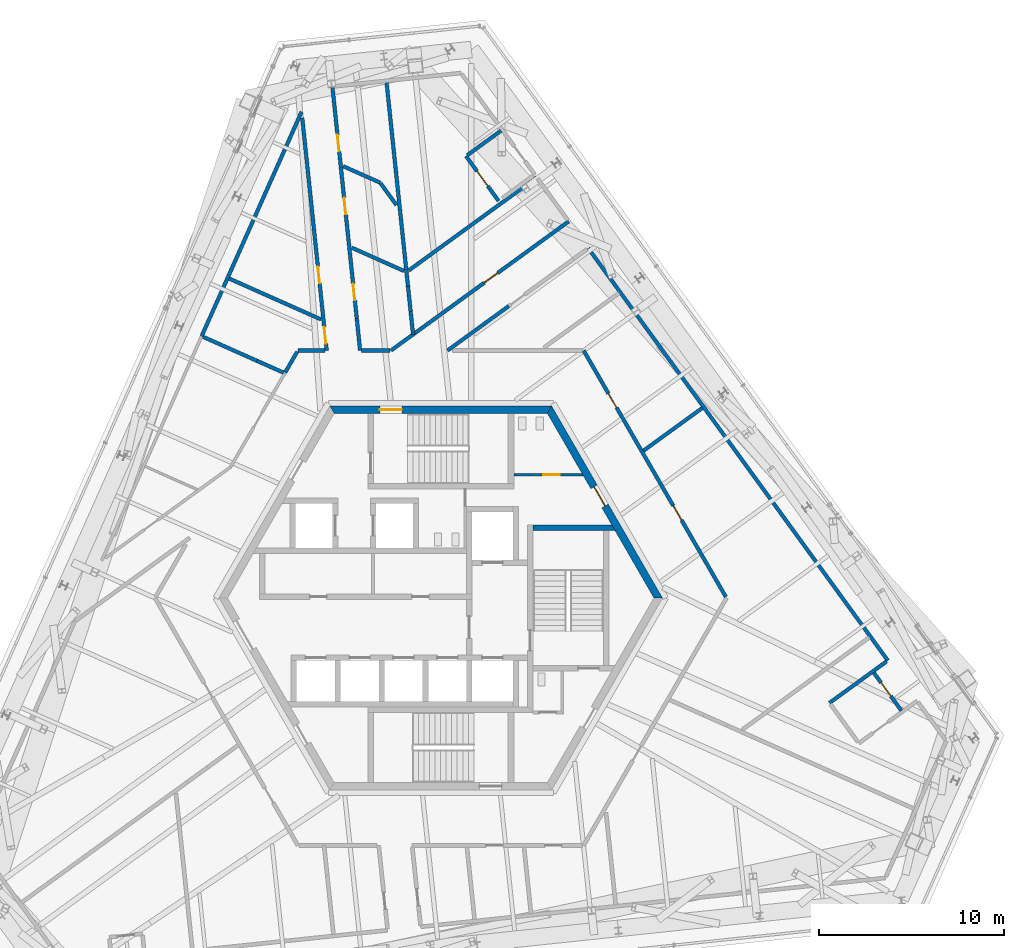
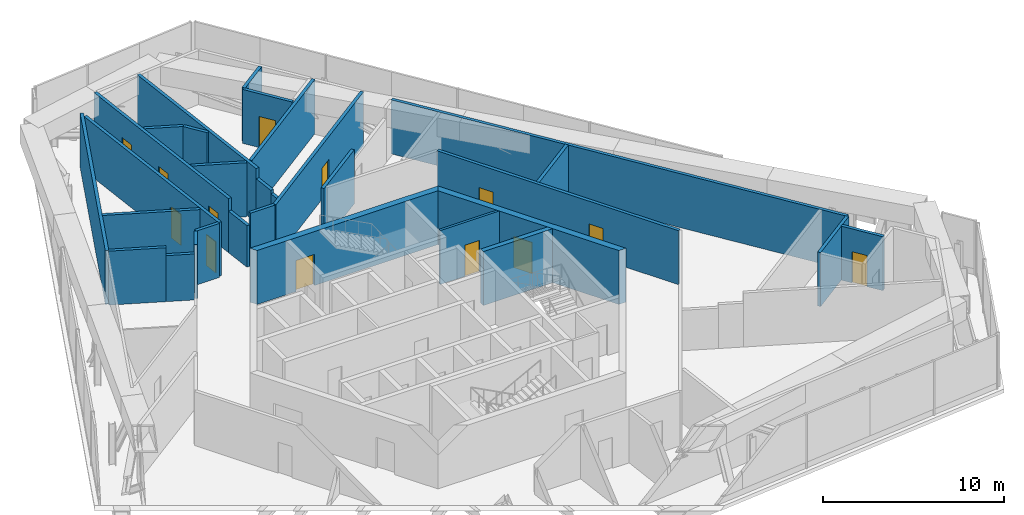
# One storey, part 15 of 23: 30 walls, 13 doors, 13 openings.
"""IFC4 building model written with IfcOpenShell, lengths in metres."""

from ifc_helpers import new_model, si_unit, direction, frame, frame_2d, origin, place, context, subcontext, project, spatial, polyline, rectangle, outline, extrude, source, transform, mapped, material, layer, layer_set, type_object, element, fill, save


model = new_model("IFC4")

# Units and contexts
model_context = context("Model", 3, precision=1e-05, world=origin(), true_north=direction((0.0, 1.0)))
body_context = subcontext(model_context, "Body", "Model", "MODEL_VIEW")
ifc_project = project(units=[si_unit("LENGTHUNIT", "METRE"), si_unit("AREAUNIT", "SQUARE_METRE"), si_unit("VOLUMEUNIT", "CUBIC_METRE"), si_unit("PLANEANGLEUNIT", "RADIAN"), si_unit("MASSUNIT", "GRAM", prefix="KILO")], contexts=[model_context])

# Site, building, storey
site_placement = place(None, origin())
site = spatial("IfcSite", under=ifc_project, at=site_placement, CompositionType="ELEMENT")
building_placement = place(site_placement, origin())
building = spatial("IfcBuilding", under=site, at=building_placement, Name="Triune Harvest Tower", CompositionType="ELEMENT")
storey_placement = place(building_placement, frame((0.0, 0.0, 255.699951171875)))
storey = spatial("IfcBuildingStorey", under=building, at=storey_placement, Name="L67", CompositionType="ELEMENT", Elevation=255.699951171875)

# Wall, openings, doors
ifc_material_1 = material(Name="Gypsum board on steel studs", Category="steel")
ifc_layer_1 = layer(ifc_material_1, 0.199951171875)
ifc_layer_set_1 = layer_set([ifc_layer_1], Name="Gypsum board on steel studs")
wall_type_1 = type_object("IfcWallType", Name="Fire Wall 200 mm", PredefinedType="PARTITIONING", material=ifc_layer_set_1)
wall_1_placement = place(storey_placement, frame((-7.4970703125, 25.986328125, 0.0), z_axis=(0.0, 0.0, 1.0), x_axis=(0.104532239309, -0.994521498483, 0.0)))
wall_1 = element("IfcWall", 1, at=wall_1_placement, inside=storey, type_object=wall_type_1, Name="Partition L67 005", PredefinedType="PARTITIONING", context=body_context, shape_type="SweptSolid", body=[
    extrude(rectangle(XDim=12.663330078125, YDim=0.199951171875, at=frame_2d((6.33154296875, 0.0))), origin(), (0.0, 0.0, 1.0), 3.64013671875),
])
opening_1_placement = place(wall_1_placement, frame((11.38330078125, 0.0, 0.0)))
opening_1 = element("IfcOpeningElement", 2, at=opening_1_placement, cuts=wall_1, Name="Opening L67-009", PredefinedType="OPENING", context=body_context, shape_type="SweptSolid", body=[
    extrude(rectangle(XDim=0.89990234375, YDim=2.10009765625, at=frame_2d((0.449951171875, 1.050048828125))), frame((0.0, 0.10986328125, 0.0), z_axis=(0.0, -1.0, 0.0), x_axis=(1.0, 0.0, 0.0)), (0.0, 0.0, 1.0), 0.219970703125),
])
opening_2_placement = place(wall_1_placement, frame((8.106201171875, 0.0, 0.0)))
opening_2 = element("IfcOpeningElement", 3, at=opening_2_placement, cuts=wall_1, Name="Opening L67-010", PredefinedType="OPENING", context=body_context, shape_type="SweptSolid", body=[
    extrude(rectangle(XDim=0.89990234375, YDim=2.10009765625, at=frame_2d((0.449951171875, 1.050048828125))), frame((0.0, 0.10986328125, 0.0), z_axis=(0.0, -1.0, 0.0), x_axis=(1.0, 0.0, 0.0)), (0.0, 0.0, 1.0), 0.219970703125),
])
ifc_material_2 = material(Name="Timber and steel door set", Category="steel")
door_type_1 = type_object("IfcDoorType", Name="Single leaf door FD60 left hand 900 x 2100", OperationType="SINGLE_SWING_LEFT", PredefinedType="DOOR", material=ifc_material_2)
door_1_placement = place(opening_1_placement, origin())
door_1 = element("IfcDoor", 4, at=door_1_placement, inside=storey, type_object=door_type_1, Name="Door L67-009 Telecom Plant Room 67.09", OperationType="SINGLE_SWING_LEFT", OverallHeight=2.10009765625, OverallWidth=0.89990234375, PredefinedType="DOOR", context=body_context, shape_type="SweptSolid", body=[
    extrude(rectangle(XDim=0.89990234375, YDim=2.10009765625, at=frame_2d((0.449951171875, 1.050048828125))), frame((0.0, 0.02490234375, 0.0), z_axis=(0.0, -1.0, 0.0), x_axis=(1.0, 0.0, 0.0)), (0.0, 0.0, 1.0), 0.050048828125),
])
fill(opening_1, door_1)
door_2_placement = place(opening_2_placement, origin())
door_2 = element("IfcDoor", 5, at=door_2_placement, inside=storey, type_object=door_type_1, Name="Door L67-010 Electrical Plant Room 67.10", OperationType="SINGLE_SWING_LEFT", OverallHeight=2.10009765625, OverallWidth=0.89990234375, PredefinedType="DOOR", context=body_context, shape_type="SweptSolid", body=[
    extrude(rectangle(XDim=0.89990234375, YDim=2.10009765625, at=frame_2d((0.449951171875, 1.050048828125))), frame((0.0, 0.02490234375, 0.0), z_axis=(0.0, -1.0, 0.0), x_axis=(1.0, 0.0, 0.0)), (0.0, 0.0, 1.0), 0.050048828125),
])
fill(opening_2, door_2)

wall_2_placement = place(storey_placement, frame((-5.865234375, 27.679931640625, 0.0), z_axis=(0.0, 0.0, 1.0), x_axis=(0.104524664601, -0.994522294617, 0.0)))
wall_2 = element("IfcWall", 6, at=wall_2_placement, inside=storey, type_object=wall_type_1, Name="Partition L67 007", PredefinedType="PARTITIONING", context=body_context, shape_type="SweptSolid", body=[
    extrude(rectangle(XDim=12.619873046875, YDim=0.199951171875, at=frame_2d((6.31005859375, 0.0))), origin(), (0.0, 0.0, 1.0), 3.64013671875),
])
opening_3_placement = place(wall_2_placement, frame((2.62548828125, 0.0, 0.0)))
opening_3 = element("IfcOpeningElement", 7, at=opening_3_placement, cuts=wall_2, Name="Opening L67-007", PredefinedType="OPENING", context=body_context, shape_type="SweptSolid", body=[
    extrude(rectangle(XDim=0.89990234375, YDim=2.10009765625, at=frame_2d((0.449951171875, 1.050048828125))), frame((0.0, 0.10986328125, 0.0), z_axis=(0.0, -1.0, 0.0), x_axis=(1.0, 0.0, 0.0)), (0.0, 0.0, 1.0), 0.219970703125),
])
opening_4_placement = place(wall_2_placement, frame((6.05908203125, 0.0, 0.0)))
opening_4 = element("IfcOpeningElement", 8, at=opening_4_placement, cuts=wall_2, Name="Opening L67-008", PredefinedType="OPENING", context=body_context, shape_type="SweptSolid", body=[
    extrude(rectangle(XDim=0.89990234375, YDim=2.10009765625, at=frame_2d((0.449951171875, 1.050048828125))), frame((0.0, 0.10986328125, 0.0), z_axis=(0.0, -1.0, 0.0), x_axis=(1.0, 0.0, 0.0)), (0.0, 0.0, 1.0), 0.219970703125),
])
opening_5_placement = place(wall_2_placement, frame((10.736083984375, 0.0, 0.0)))
opening_5 = element("IfcOpeningElement", 9, at=opening_5_placement, cuts=wall_2, Name="Opening L67-011", PredefinedType="OPENING", context=body_context, shape_type="SweptSolid", body=[
    extrude(rectangle(XDim=0.89990234375, YDim=2.10009765625, at=frame_2d((0.449951171875, 1.050048828125))), frame((0.0, 0.10986328125, 0.0), z_axis=(0.0, -1.0, 0.0), x_axis=(1.0, 0.0, 0.0)), (0.0, 0.0, 1.0), 0.219970703125),
])
door_3_placement = place(opening_3_placement, origin())
door_3 = element("IfcDoor", 10, at=door_3_placement, inside=storey, type_object=door_type_1, Name="Door L67-007 Electrical Plant Room 67.07", OperationType="SINGLE_SWING_LEFT", OverallHeight=2.10009765625, OverallWidth=0.89990234375, PredefinedType="DOOR", context=body_context, shape_type="SweptSolid", body=[
    extrude(rectangle(XDim=0.89990234375, YDim=2.10009765625, at=frame_2d((0.449951171875, 1.050048828125))), frame((0.0, 0.02490234375, 0.0), z_axis=(0.0, -1.0, 0.0), x_axis=(1.0, 0.0, 0.0)), (0.0, 0.0, 1.0), 0.050048828125),
])
fill(opening_3, door_3)
door_4_placement = place(opening_4_placement, origin())
door_4 = element("IfcDoor", 11, at=door_4_placement, inside=storey, type_object=door_type_1, Name="Door L67-008 Telecom Plant Room 67.08", OperationType="SINGLE_SWING_LEFT", OverallHeight=2.10009765625, OverallWidth=0.89990234375, PredefinedType="DOOR", context=body_context, shape_type="SweptSolid", body=[
    extrude(rectangle(XDim=0.89990234375, YDim=2.10009765625, at=frame_2d((0.449951171875, 1.050048828125))), frame((0.0, 0.02490234375, 0.0), z_axis=(0.0, -1.0, 0.0), x_axis=(1.0, 0.0, 0.0)), (0.0, 0.0, 1.0), 0.050048828125),
])
fill(opening_4, door_4)
ifc_material_3 = material(Name="Timber and steel door set", Category="steel")
door_type_2 = type_object("IfcDoorType", Name="Single leaf door FD60 right hand 900 x 2100", OperationType="SINGLE_SWING_RIGHT", PredefinedType="DOOR", material=ifc_material_3)
door_5_placement = place(opening_5_placement, origin())
door_5 = element("IfcDoor", 12, at=door_5_placement, inside=storey, type_object=door_type_2, Name="Door L67-011 Electrical Plant Room 67.11", OperationType="SINGLE_SWING_RIGHT", OverallHeight=2.10009765625, OverallWidth=0.89990234375, PredefinedType="DOOR", context=body_context, shape_type="SweptSolid", body=[
    extrude(rectangle(XDim=0.89990234375, YDim=2.10009765625, at=frame_2d((0.449951171875, 1.050048828125))), frame((0.0, 0.02490234375, 0.0), z_axis=(0.0, -1.0, 0.0), x_axis=(1.0, 0.0, 0.0)), (0.0, 0.0, 1.0), 0.050048828125),
])
fill(opening_5, door_5)

# Walls
wall_3_placement = place(storey_placement, frame((-4.546142578125, 15.129150390625, 0.0), z_axis=(0.0, 0.0, 1.0), x_axis=(0.104553813702, -0.994519230604, 0.0)))
element("IfcWall", 13, at=wall_3_placement, inside=storey, type_object=wall_type_1, Name="Partition L67 007a", PredefinedType="PARTITIONING", context=body_context, shape_type="SweptSolid", body=[
    extrude(rectangle(XDim=1.74658203125, YDim=0.199951171875, at=frame_2d((0.873291015625, 0.0))), origin(), (0.0, 0.0, 1.0), 2.79931640625),
])
wall_4_placement = place(storey_placement, frame((-2.941650390625, 27.987060546875, 0.0), z_axis=(0.0, 0.0, 1.0), x_axis=(0.104540410664, -0.994520639574, 0.0)))
element("IfcWall", 14, at=wall_4_placement, inside=storey, type_object=wall_type_1, Name="Partition L67 009", PredefinedType="PARTITIONING", context=body_context, shape_type="SweptSolid", body=[
    extrude(rectangle(XDim=11.179443359375, YDim=0.199951171875, at=frame_2d((5.58984375, 0.0))), origin(), (0.0, 0.0, 1.0), 3.64013671875),
])
wall_5_placement = place(storey_placement, frame((-1.77294921875, 16.868896484375, 0.0), z_axis=(0.0, 0.0, 1.0), x_axis=(0.104473138259, -0.994527708705, 0.0)))
element("IfcWall", 15, at=wall_5_placement, inside=storey, type_object=wall_type_1, Name="Partition L67 009a", PredefinedType="PARTITIONING", context=body_context, shape_type="SweptSolid", body=[
    extrude(rectangle(XDim=1.381103515625, YDim=0.199951171875, at=frame_2d((0.6904296875, 0.0))), origin(), (0.0, 0.0, 1.0), 2.956787109375),
])
wall_6_placement = place(storey_placement, frame((-1.628662109375, 15.495361328125, 0.0), z_axis=(0.0, 0.0, 1.0), x_axis=(0.104531072999, -0.994521621071, 0.0)))
element("IfcWall", 16, at=wall_6_placement, inside=storey, type_object=wall_type_1, Name="Partition L67 009b", PredefinedType="PARTITIONING", context=body_context, shape_type="SweptSolid", body=[
    extrude(rectangle(XDim=1.240234375, YDim=0.199951171875, at=frame_2d((0.6201171875, 0.0))), origin(), (0.0, 0.0, 1.0), 2.7255859375),
])
wall_7_placement = place(storey_placement, frame((-3.26171875, 22.451171875, 0.0), z_axis=(0.0, 0.0, 1.0), x_axis=(0.58784443078, -0.80897399538, 0.0)))
element("IfcWall", 17, at=wall_7_placement, inside=storey, type_object=wall_type_1, Name="Partition L67 016", PredefinedType="PARTITIONING", context=body_context, shape_type="SweptSolid", body=[
    extrude(rectangle(XDim=1.4638671875, YDim=0.199951171875, at=frame_2d((0.73193359375, 0.0))), origin(), (0.0, 0.0, 1.0), 3.64013671875),
])

# Wall, opening, door
wall_8_placement = place(storey_placement, frame((1.368408203125, 23.914306640625, 0.0), z_axis=(0.0, 0.0, 1.0), x_axis=(0.587755461469, -0.809038637837, 0.0)))
wall_8 = element("IfcWall", 18, at=wall_8_placement, inside=storey, type_object=wall_type_1, Name="Partition L67 018", PredefinedType="PARTITIONING", context=body_context, shape_type="SweptSolid", body=[
    extrude(rectangle(XDim=2.999755859375, YDim=0.199951171875, at=frame_2d((1.5, 0.0))), origin(), (0.0, 0.0, 1.0), 3.64013671875),
])
opening_6_placement = place(wall_8_placement, frame((1.0, 0.0, 0.0)))
opening_6 = element("IfcOpeningElement", 19, at=opening_6_placement, cuts=wall_8, Name="Opening L67-006", PredefinedType="OPENING", context=body_context, shape_type="SweptSolid", body=[
    extrude(rectangle(XDim=1.0, YDim=2.10009765625, at=frame_2d((0.5, 1.050048828125))), frame((0.0, 0.10986328125, 0.0), z_axis=(0.0, -1.0, 0.0), x_axis=(1.0, 0.0, 0.0)), (0.0, 0.0, 1.0), 0.219970703125),
])
ifc_material_4 = material(Name="Timber and steel door set", Category="steel")
door_type_3 = type_object("IfcDoorType", Name="Wide single leaf door FD60 right hand 1000 x 2100", OperationType="SINGLE_SWING_RIGHT", PredefinedType="DOOR", material=ifc_material_4)
door_6_placement = place(opening_6_placement, origin())
door_6 = element("IfcDoor", 20, at=door_6_placement, inside=storey, type_object=door_type_3, Name="Door L67-006 Refuge Area 67.06", OperationType="SINGLE_SWING_RIGHT", OverallHeight=2.10009765625, OverallWidth=1.0, PredefinedType="DOOR", context=body_context, shape_type="SweptSolid", body=[
    extrude(rectangle(XDim=1.0, YDim=2.10009765625, at=frame_2d((0.5, 1.050048828125))), frame((0.0, 0.02490234375, 0.0), z_axis=(0.0, -1.0, 0.0), x_axis=(1.0, 0.0, 0.0)), (0.0, 0.0, 1.0), 0.050048828125),
])
fill(opening_6, door_6)

wall_9_placement = place(storey_placement, frame((23.431396484375, -4.037109375, 0.0), z_axis=(0.0, 0.0, 1.0), x_axis=(0.587783050671, -0.809018593942, 0.0)))
wall_9 = element("IfcWall", 21, at=wall_9_placement, inside=storey, type_object=wall_type_1, Name="Partition L67 019", PredefinedType="PARTITIONING", context=body_context, shape_type="SweptSolid", body=[
    extrude(rectangle(XDim=2.540283203125, YDim=0.199951171875, at=frame_2d((1.27001953125, 0.0))), origin(), (0.0, 0.0, 1.0), 3.64013671875),
])
opening_7_placement = place(wall_9_placement, frame((0.669921875, 0.0, 0.0)))
opening_7 = element("IfcOpeningElement", 22, at=opening_7_placement, cuts=wall_9, Name="Opening L67-022", PredefinedType="OPENING", context=body_context, shape_type="SweptSolid", body=[
    extrude(rectangle(XDim=0.89990234375, YDim=2.10009765625, at=frame_2d((0.449951171875, 1.050048828125))), frame((0.0, 0.10986328125, 0.0), z_axis=(0.0, -1.0, 0.0), x_axis=(1.0, 0.0, 0.0)), (0.0, 0.0, 1.0), 0.219970703125),
])
door_7_placement = place(opening_7_placement, origin())
door_7 = element("IfcDoor", 23, at=door_7_placement, inside=storey, type_object=door_type_2, Name="Door L67-022 Refuge Lobby 67.22", OperationType="SINGLE_SWING_RIGHT", OverallHeight=2.10009765625, OverallWidth=0.89990234375, PredefinedType="DOOR", context=body_context, shape_type="SweptSolid", body=[
    extrude(rectangle(XDim=0.89990234375, YDim=2.10009765625, at=frame_2d((0.449951171875, 1.050048828125))), frame((0.0, 0.02490234375, 0.0), z_axis=(0.0, -1.0, 0.0), x_axis=(1.0, 0.0, 0.0)), (0.0, 0.0, 1.0), 0.050048828125),
])
fill(opening_7, door_7)

# Walls
wall_10_placement = place(storey_placement, frame((7.983642578125, 18.926513671875, 0.0), z_axis=(0.0, 0.0, 1.0), x_axis=(0.587786321527, -0.809016217529, 0.0)))
element("IfcWall", 24, at=wall_10_placement, inside=storey, type_object=wall_type_1, Name="Partition L67 022", PredefinedType="PARTITIONING", context=body_context, shape_type="SweptSolid", body=[
    extrude(rectangle(XDim=27.577880859375, YDim=0.199951171875, at=frame_2d((13.7890625, 0.0))), origin(), (0.0, 0.0, 1.0), 3.64013671875),
])
wall_11_placement = place(storey_placement, frame((-9.943115234375, 12.833251953125, 0.0), z_axis=(0.0, 0.0, 1.0), x_axis=(0.913536363976, -0.406757067172, 0.0)))
element("IfcWall", 25, at=wall_11_placement, inside=storey, type_object=wall_type_1, Name="Partition L67 026a", PredefinedType="PARTITIONING", context=body_context, shape_type="SweptSolid", body=[
    extrude(rectangle(XDim=1.574462890625, YDim=0.199951171875, at=frame_2d((0.787109375, 0.0))), origin(), (0.0, 0.0, 1.0), 3.10400390625),
])
wall_12_placement = place(storey_placement, frame((-11.461181640625, 17.2919921875, 0.0), z_axis=(0.0, 0.0, 1.0), x_axis=(0.913539886318, -0.406749156246, 0.0)))
element("IfcWall", 26, at=wall_12_placement, inside=storey, type_object=wall_type_1, Name="Partition L67 027", PredefinedType="PARTITIONING", context=body_context, shape_type="SweptSolid", body=[
    extrude(rectangle(XDim=5.451904296875, YDim=0.199951171875, at=frame_2d((2.72607421875, 0.0))), origin(), (0.0, 0.0, 1.0), 3.64013671875),
])
wall_13_placement = place(storey_placement, frame((-4.81787109375, 18.95751953125, 0.0), z_axis=(0.0, 0.0, 1.0), x_axis=(0.91353807575, -0.406753222674, 0.0)))
element("IfcWall", 27, at=wall_13_placement, inside=storey, type_object=wall_type_1, Name="Partition L67 028", PredefinedType="PARTITIONING", context=body_context, shape_type="SweptSolid", body=[
    extrude(rectangle(XDim=3.0947265625, YDim=0.199951171875, at=frame_2d((1.54736328125, 0.0))), origin(), (0.0, 0.0, 1.0), 3.64013671875),
])
wall_14_placement = place(storey_placement, frame((-5.28125, 23.366943359375, 0.0), z_axis=(0.0, 0.0, 1.0), x_axis=(0.913540292169, -0.406748244721, 0.0)))
element("IfcWall", 28, at=wall_14_placement, inside=storey, type_object=wall_type_1, Name="Partition L67 029", PredefinedType="PARTITIONING", context=body_context, shape_type="SweptSolid", body=[
    extrude(rectangle(XDim=2.19140625, YDim=0.199951171875, at=frame_2d((1.095703125, 0.0))), origin(), (0.0, 0.0, 1.0), 3.64013671875),
])
wall_15_placement = place(storey_placement, frame((-7.732177734375, 13.392333984375, 0.0), z_axis=(0.0, 0.0, 1.0), x_axis=(1.0, 0.0, 0.0)))
element("IfcWall", 29, at=wall_15_placement, inside=storey, type_object=wall_type_1, Name="Partition L67 032", PredefinedType="PARTITIONING", context=body_context, shape_type="SweptSolid", body=[
    extrude(rectangle(XDim=1.46875, YDim=0.199951171875, at=frame_2d((0.734375, 0.0))), origin(), (0.0, 0.0, 1.0), 3.64013671875),
])
wall_16_placement = place(storey_placement, frame((-4.283447265625, 13.392333984375, 0.0), z_axis=(0.0, 0.0, 1.0), x_axis=(1.0, 0.0, 0.0)))
element("IfcWall", 30, at=wall_16_placement, inside=storey, type_object=wall_type_1, Name="Partition L67 033", PredefinedType="PARTITIONING", context=body_context, shape_type="SweptSolid", body=[
    extrude(rectangle(XDim=1.547607421875, YDim=0.199951171875, at=frame_2d((0.77392578125, 0.0))), origin(), (0.0, 0.0, 1.0), 3.64013671875),
])
wall_17_placement = place(storey_placement, frame((21.038330078125, -5.677001953125, 0.0), z_axis=(0.0, 0.0, 1.0), x_axis=(0.809026168049, 0.587772625606, 0.0)))
element("IfcWall", 31, at=wall_17_placement, inside=storey, type_object=wall_type_1, Name="Partition L67 041", PredefinedType="PARTITIONING", context=body_context, shape_type="SweptSolid", body=[
    extrude(rectangle(XDim=3.820068359375, YDim=0.199951171875, at=frame_2d((1.91015625, 0.0))), origin(), (0.0, 0.0, 1.0), 3.64013671875),
])
wall_18_placement = place(storey_placement, frame((10.967041015625, 7.968017578125, 0.0), z_axis=(0.0, 0.0, 1.0), x_axis=(0.809043545907, 0.587748705508, 0.0)))
element("IfcWall", 32, at=wall_18_placement, inside=storey, type_object=wall_type_1, Name="Partition L67 044", PredefinedType="PARTITIONING", context=body_context, shape_type="SweptSolid", body=[
    extrude(rectangle(XDim=3.947265625, YDim=0.199951171875, at=frame_2d((1.9736328125, 0.0))), origin(), (0.0, 0.0, 1.0), 3.64013671875),
])
wall_19_placement = place(storey_placement, frame((0.36669921875, 13.392333984375, 0.0), z_axis=(0.0, 0.0, 1.0), x_axis=(0.809039839897, 0.587753806844, 0.0)))
element("IfcWall", 33, at=wall_19_placement, inside=storey, type_object=wall_type_1, Name="Partition L67 047", PredefinedType="PARTITIONING", context=body_context, shape_type="SweptSolid", body=[
    extrude(rectangle(XDim=4.099853515625, YDim=0.199951171875, at=frame_2d((2.0498046875, 0.0))), origin(), (0.0, 0.0, 1.0), 3.64013671875),
])

# Wall, opening, door
wall_20_placement = place(storey_placement, frame((-2.69580078125, 13.392333984375, 0.0), z_axis=(0.0, 0.0, 1.0), x_axis=(0.809010302396, 0.587794462902, 0.0)))
wall_20 = element("IfcWall", 34, at=wall_20_placement, inside=storey, type_object=wall_type_1, Name="Partition L67 049", PredefinedType="PARTITIONING", context=body_context, shape_type="SweptSolid", body=[
    extrude(rectangle(XDim=11.892822265625, YDim=0.199951171875, at=frame_2d((5.9462890625, 0.0))), origin(), (0.0, 0.0, 1.0), 3.64013671875),
])
opening_8_placement = place(wall_20_placement, frame((6.24267578125, 0.0, 0.0)))
opening_8 = element("IfcOpeningElement", 35, at=opening_8_placement, cuts=wall_20, Name="Opening L67-004", PredefinedType="OPENING", context=body_context, shape_type="SweptSolid", body=[
    extrude(rectangle(XDim=0.89990234375, YDim=2.10009765625, at=frame_2d((0.449951171875, 1.050048828125))), frame((0.0, 0.10986328125, 0.0), z_axis=(0.0, -1.0, 0.0), x_axis=(1.0, 0.0, 0.0)), (0.0, 0.0, 1.0), 0.219970703125),
])
door_8_placement = place(opening_8_placement, origin())
door_8 = element("IfcDoor", 36, at=door_8_placement, inside=storey, type_object=door_type_2, Name="Door L67-004 Switch Room 67.04", OperationType="SINGLE_SWING_RIGHT", OverallHeight=2.10009765625, OverallWidth=0.89990234375, PredefinedType="DOOR", context=body_context, shape_type="SweptSolid", body=[
    extrude(rectangle(XDim=0.89990234375, YDim=2.10009765625, at=frame_2d((0.449951171875, 1.050048828125))), frame((0.0, 0.02490234375, 0.0), z_axis=(0.0, -1.0, 0.0), x_axis=(1.0, 0.0, 0.0)), (0.0, 0.0, 1.0), 0.050048828125),
])
fill(opening_8, door_8)

# Walls
wall_21_placement = place(storey_placement, frame((-1.732421875, 17.72607421875, 0.0), z_axis=(0.0, 0.0, 1.0), x_axis=(0.809025616685, 0.587773384517, 0.0)))
element("IfcWall", 37, at=wall_21_placement, inside=storey, type_object=wall_type_1, Name="Partition L67 050", PredefinedType="PARTITIONING", context=body_context, shape_type="SweptSolid", body=[
    extrude(rectangle(XDim=8.566162109375, YDim=0.199951171875, at=frame_2d((4.283203125, 0.0))), origin(), (0.0, 0.0, 1.0), 3.64013671875),
])
wall_22_placement = place(storey_placement, frame((1.43310546875, 23.96142578125, 0.0), z_axis=(0.0, 0.0, 1.0), x_axis=(0.809020949472, 0.58777980853, 0.0)))
element("IfcWall", 38, at=wall_22_placement, inside=storey, type_object=wall_type_1, Name="Partition L67 052", PredefinedType="PARTITIONING", context=body_context, shape_type="SweptSolid", body=[
    extrude(rectangle(XDim=2.260009765625, YDim=0.199951171875, at=frame_2d((1.1298828125, 0.0))), origin(), (0.0, 0.0, 1.0), 3.64013671875),
])
wall_23_placement = place(storey_placement, frame((-8.41748046875, 12.205078125, 0.0), z_axis=(0.0, 0.0, 1.0), x_axis=(0.499933637365, 0.86606371488, 0.0)))
element("IfcWall", 39, at=wall_23_placement, inside=storey, type_object=wall_type_1, Name="Partition L67 056", PredefinedType="PARTITIONING", context=body_context, shape_type="SweptSolid", body=[
    extrude(rectangle(XDim=1.301025390625, YDim=0.199951171875, at=frame_2d((0.650390625, 0.0))), origin(), (0.0, 0.0, 1.0), 3.64013671875),
])
wall_24_placement = place(storey_placement, frame((-12.941162109375, 14.16455078125, 0.0), z_axis=(0.0, 0.0, 1.0), x_axis=(0.406754942523, 0.913537309984, 0.0)))
element("IfcWall", 40, at=wall_24_placement, inside=storey, type_object=wall_type_1, Name="Partition L67 060", PredefinedType="PARTITIONING", context=body_context, shape_type="SweptSolid", body=[
    extrude(rectangle(XDim=13.299560546875, YDim=0.199951171875, at=frame_2d((6.64990234375, 0.0))), origin(), (0.0, 0.0, 1.0), 3.64013671875),
])

# Wall, opening, door
ifc_material_5 = material(Name="Concrete 70 MPa", Category="concrete")
ifc_layer_2 = layer(ifc_material_5, 0.39990234375)
ifc_layer_set_2 = layer_set([ifc_layer_2], Name="Concrete 70 MPa")
wall_type_2 = type_object("IfcWallType", Name="Core wall 400", PredefinedType="SHEAR", material=ifc_layer_set_2)
shared_shape_1 = source(origin(), body_context, "Body", "SweptSolid", [
    extrude(outline(polyline([(-0.115478515625, -0.199951171875), (11.884521484375, -0.199951171875), (11.653564453125, 0.199951171875), (0.115478515625, 0.199951171875), (-0.115478515625, -0.199951171875)])), origin(), (0.0, 0.0, 1.0), 3.64013671875),
])
wall_25_placement = place(storey_placement, frame((11.76904296875, 0.0, 0.0), z_axis=(0.0, 0.0, 1.0), x_axis=(-0.499996592174, 0.866027371285, 0.0)))
wall_25 = element("IfcWall", 41, at=wall_25_placement, inside=storey, type_object=wall_type_2, Name="Hexagon 0 wall", PredefinedType="SHEAR", context=body_context, shape_type="MappedRepresentation", body=[
    mapped(shared_shape_1, transform((0.0, 0.0, 0.0), scale=1.0)),
])
opening_9_placement = place(wall_25_placement, frame((5.75048828125, 0.0, 0.0)))
opening_9 = element("IfcOpeningElement", 42, at=opening_9_placement, cuts=wall_25, Name="Opening CD-WCP", PredefinedType="OPENING", context=body_context, shape_type="SweptSolid", body=[
    extrude(rectangle(XDim=1.199951171875, YDim=2.10009765625, at=frame_2d((0.60009765625, 1.050048828125))), frame((0.0, 0.2099609375, 0.0), z_axis=(0.0, -1.0, 0.0), x_axis=(1.0, 0.0, 0.0)), (0.0, 0.0, 1.0), 0.419921875),
])
ifc_material_6 = material(Name="Steel S235", Category="steel")
door_type_4 = type_object("IfcDoorType", Name="Lobby door 1200 FD120", OperationType="SINGLE_SWING_LEFT", PredefinedType="DOOR", material=ifc_material_6)
door_9_placement = place(opening_9_placement, frame((1.199951171875, 0.0, 0.0), z_axis=(0.0, 0.0, 1.0), x_axis=(-1.0, 0.0, 0.0)))
door_9 = element("IfcDoor", 43, at=door_9_placement, inside=storey, type_object=door_type_4, Name="Door CD-WCP", OperationType="SINGLE_SWING_RIGHT", OverallHeight=2.10009765625, OverallWidth=1.199951171875, PredefinedType="DOOR", context=body_context, shape_type="SweptSolid", body=[
    extrude(rectangle(XDim=1.199951171875, YDim=2.10009765625, at=frame_2d((0.60009765625, 1.050048828125))), frame((0.0, 0.02490234375, 0.0), z_axis=(0.0, -1.0, 0.0), x_axis=(1.0, 0.0, 0.0)), (0.0, 0.0, 1.0), 0.050048828125),
])
fill(opening_9, door_9)

wall_26_placement = place(storey_placement, frame((5.884521484375, 10.1923828125, 0.0), z_axis=(0.0, 0.0, 1.0), x_axis=(-1.0, 0.0, 0.0)))
wall_26 = element("IfcWall", 44, at=wall_26_placement, inside=storey, type_object=wall_type_2, Name="Hexagon 1 wall", PredefinedType="SHEAR", context=body_context, shape_type="MappedRepresentation", body=[
    mapped(shared_shape_1, transform((0.0, 0.0, 0.0), scale=1.0)),
])
opening_10_placement = place(wall_26_placement, frame((7.984619140625, 0.0, 0.0)))
opening_10 = element("IfcOpeningElement", 45, at=opening_10_placement, cuts=wall_26, Name="Opening CD-S1P", PredefinedType="OPENING", context=body_context, shape_type="SweptSolid", body=[
    extrude(rectangle(XDim=1.199951171875, YDim=2.10009765625, at=frame_2d((0.60009765625, 1.050048828125))), frame((0.0, 0.2099609375, 0.0), z_axis=(0.0, -1.0, 0.0), x_axis=(1.0, 0.0, 0.0)), (0.0, 0.0, 1.0), 0.419921875),
])
ifc_material_7 = material(Name="Steel S235", Category="steel")
door_type_5 = type_object("IfcDoorType", Name="Stair door 1200 FD120", OperationType="SINGLE_SWING_LEFT", PredefinedType="DOOR", material=ifc_material_7)
door_10_placement = place(opening_10_placement, frame((1.199951171875, 0.0, 0.0), z_axis=(0.0, 0.0, 1.0), x_axis=(-1.0, 0.0, 0.0)))
door_10 = element("IfcDoor", 46, at=door_10_placement, inside=storey, type_object=door_type_5, Name="Door CD-S1P", OperationType="SINGLE_SWING_RIGHT", OverallHeight=2.10009765625, OverallWidth=1.199951171875, PredefinedType="DOOR", context=body_context, shape_type="SweptSolid", body=[
    extrude(rectangle(XDim=1.199951171875, YDim=2.10009765625, at=frame_2d((0.60009765625, 1.050048828125))), frame((0.0, 0.02490234375, 0.0), z_axis=(0.0, -1.0, 0.0), x_axis=(1.0, 0.0, 0.0)), (0.0, 0.0, 1.0), 0.050048828125),
])
fill(opening_10, door_10)

# Wall
ifc_material_8 = material(Name="Concrete 70 MPa", Category="concrete")
ifc_layer_3 = layer(ifc_material_8, 0.300048828125)
ifc_layer_set_3 = layer_set([ifc_layer_3], Name="Concrete 70 MPa")
wall_type_3 = type_object("IfcWallType", Name="Core wall 300", PredefinedType="SHEAR", material=ifc_layer_set_3)
shared_shape_2 = source(origin(), body_context, "Body", "SweptSolid", [
    extrude(outline(polyline([(0.0, -0.14990234375), (0.0, 0.14990234375), (4.260009765625, 0.14990234375), (4.43310546875, -0.14990234375), (0.0, -0.14990234375)])), origin(), (0.0, 0.0, 1.0), 3.64013671875),
])
wall_27_placement = place(storey_placement, frame((5.0, 3.800048828125, 0.0), z_axis=(0.0, 0.0, 1.0), x_axis=(1.0, 0.0, 0.0)))
element("IfcWall", 47, at=wall_27_placement, inside=storey, type_object=wall_type_3, Name="Stair e north wall", PredefinedType="SHEAR", context=body_context, shape_type="MappedRepresentation", body=[
    mapped(shared_shape_2, transform((0.0, 0.0, 0.0), scale=1.0)),
])

# Wall, opening, door
ifc_material_9 = material(Name="Concrete masonry unit", Category="masonry")
ifc_layer_4 = layer(ifc_material_9, 0.14990234375)
ifc_layer_set_4 = layer_set([ifc_layer_4], Name="Concrete masonry unit")
wall_type_4 = type_object("IfcWallType", Name="Block partition 150 unrated", PredefinedType="PARTITIONING", material=ifc_layer_set_4)
shared_shape_3 = source(origin(), body_context, "Body", "SweptSolid", [
    extrude(outline(polyline([(0.0, -0.074951171875), (0.0, 0.074951171875), (3.693359375, 0.074951171875), (3.77978515625, -0.074951171875), (0.0, -0.074951171875)])), origin(), (0.0, 0.0, 1.0), 3.64013671875),
])
wall_28_placement = place(storey_placement, frame((3.949951171875, 6.675048828125, 0.0), z_axis=(0.0, 0.0, 1.0), x_axis=(1.0, 0.0, 0.0)))
wall_28 = element("IfcWall", 48, at=wall_28_placement, inside=storey, type_object=wall_type_4, Name="Wc women south wall", PredefinedType="PARTITIONING", context=body_context, shape_type="MappedRepresentation", body=[
    mapped(shared_shape_3, transform((0.0, 0.0, 0.0), scale=1.0)),
])
opening_11_placement = place(wall_28_placement, frame((1.60009765625, 0.0, 0.0)))
opening_11 = element("IfcOpeningElement", 49, at=opening_11_placement, cuts=wall_28, Name="Opening CD-WW", PredefinedType="OPENING", context=body_context, shape_type="SweptSolid", body=[
    extrude(rectangle(XDim=0.89990234375, YDim=2.10009765625, at=frame_2d((0.449951171875, 1.050048828125))), frame((0.0, 0.0849609375, 0.0), z_axis=(0.0, -1.0, 0.0), x_axis=(1.0, 0.0, 0.0)), (0.0, 0.0, 1.0), 0.169921875),
])
ifc_material_10 = material(Name="Timber C24", Category="wood")
door_type_6 = type_object("IfcDoorType", Name="WC door 900", OperationType="SINGLE_SWING_LEFT", PredefinedType="DOOR", material=ifc_material_10)
door_11_placement = place(opening_11_placement, origin())
door_11 = element("IfcDoor", 50, at=door_11_placement, inside=storey, type_object=door_type_6, Name="Door CD-WW", OperationType="SINGLE_SWING_LEFT", OverallHeight=2.10009765625, OverallWidth=0.89990234375, PredefinedType="DOOR", context=body_context, shape_type="SweptSolid", body=[
    extrude(rectangle(XDim=0.89990234375, YDim=2.10009765625, at=frame_2d((0.449951171875, 1.050048828125))), frame((0.0, 0.02490234375, 0.0), z_axis=(0.0, -1.0, 0.0), x_axis=(1.0, 0.0, 0.0)), (0.0, 0.0, 1.0), 0.050048828125),
])
fill(opening_11, door_11)

# Wall, openings, doors
shared_shape_4 = source(origin(), body_context, "Body", "SweptSolid", [
    extrude(rectangle(XDim=15.394287109375, YDim=0.199951171875, at=frame_2d((7.697265625, 0.0))), origin(), (0.0, 0.0, 1.0), 3.64013671875),
])
wall_29_placement = place(storey_placement, frame((7.732177734375, 13.392333984375, 0.0), z_axis=(0.0, 0.0, 1.0), x_axis=(0.49999564484, -0.866027918222, 0.0)))
wall_29 = element("IfcWall", 51, at=wall_29_placement, inside=storey, type_object=wall_type_1, Name="Partition L67 014", PredefinedType="PARTITIONING", context=body_context, shape_type="MappedRepresentation", body=[
    mapped(shared_shape_4, transform((0.0, 0.0, 0.0), scale=1.0)),
])
opening_12_placement = place(wall_29_placement, frame((9.6962890625, 0.0, 0.0)))
opening_12 = element("IfcOpeningElement", 52, at=opening_12_placement, cuts=wall_29, Name="Opening L67-002", PredefinedType="OPENING", context=body_context, shape_type="SweptSolid", body=[
    extrude(rectangle(XDim=0.89990234375, YDim=2.10009765625, at=frame_2d((0.449951171875, 1.050048828125))), frame((0.0, 0.10986328125, 0.0), z_axis=(0.0, -1.0, 0.0), x_axis=(1.0, 0.0, 0.0)), (0.0, 0.0, 1.0), 0.219970703125),
])
opening_13_placement = place(wall_29_placement, frame((2.67431640625, 0.0, 0.0)))
opening_13 = element("IfcOpeningElement", 53, at=opening_13_placement, cuts=wall_29, Name="Opening L67-003", PredefinedType="OPENING", context=body_context, shape_type="SweptSolid", body=[
    extrude(rectangle(XDim=0.89990234375, YDim=2.10009765625, at=frame_2d((0.449951171875, 1.050048828125))), frame((0.0, 0.10986328125, 0.0), z_axis=(0.0, -1.0, 0.0), x_axis=(1.0, 0.0, 0.0)), (0.0, 0.0, 1.0), 0.219970703125),
])
door_12_placement = place(opening_13_placement, origin())
door_12 = element("IfcDoor", 54, at=door_12_placement, inside=storey, type_object=door_type_1, Name="Door L67-003 Generator Plant Room 67.03", OperationType="SINGLE_SWING_LEFT", OverallHeight=2.10009765625, OverallWidth=0.89990234375, PredefinedType="DOOR", context=body_context, shape_type="SweptSolid", body=[
    extrude(rectangle(XDim=0.89990234375, YDim=2.10009765625, at=frame_2d((0.449951171875, 1.050048828125))), frame((0.0, 0.02490234375, 0.0), z_axis=(0.0, -1.0, 0.0), x_axis=(1.0, 0.0, 0.0)), (0.0, 0.0, 1.0), 0.050048828125),
])
fill(opening_13, door_12)
door_13_placement = place(opening_12_placement, origin())
door_13 = element("IfcDoor", 55, at=door_13_placement, inside=storey, type_object=door_type_2, Name="Door L67-002 Water Tank Room 67.02", OperationType="SINGLE_SWING_RIGHT", OverallHeight=2.10009765625, OverallWidth=0.89990234375, PredefinedType="DOOR", context=body_context, shape_type="SweptSolid", body=[
    extrude(rectangle(XDim=0.89990234375, YDim=2.10009765625, at=frame_2d((0.449951171875, 1.050048828125))), frame((0.0, 0.02490234375, 0.0), z_axis=(0.0, -1.0, 0.0), x_axis=(1.0, 0.0, 0.0)), (0.0, 0.0, 1.0), 0.050048828125),
])
fill(opening_12, door_13)

# Wall
shared_shape_5 = source(origin(), body_context, "Body", "SweptSolid", [
    extrude(rectangle(XDim=3.2001953125, YDim=0.199951171875, at=frame_2d((1.60009765625, 0.0))), origin(), (0.0, 0.0, 1.0), 3.64013671875),
])
wall_30_placement = place(storey_placement, frame((-12.86669921875, 14.135009765625, 0.0), z_axis=(0.0, 0.0, 1.0), x_axis=(0.91353450174, -0.406761249543, 0.0)))
element("IfcWall", 56, at=wall_30_placement, inside=storey, type_object=wall_type_1, Name="Partition L67 026", PredefinedType="PARTITIONING", context=body_context, shape_type="MappedRepresentation", body=[
    mapped(shared_shape_5, transform((0.0, 0.0, 0.0), scale=1.0)),
])

save(model, "model.ifc")
